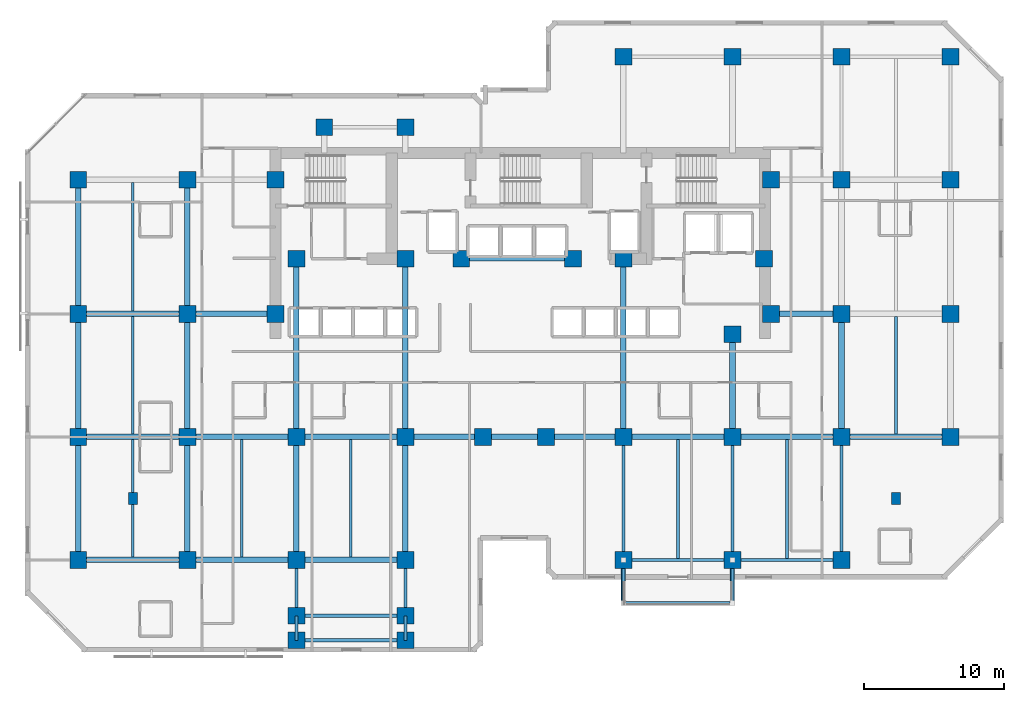
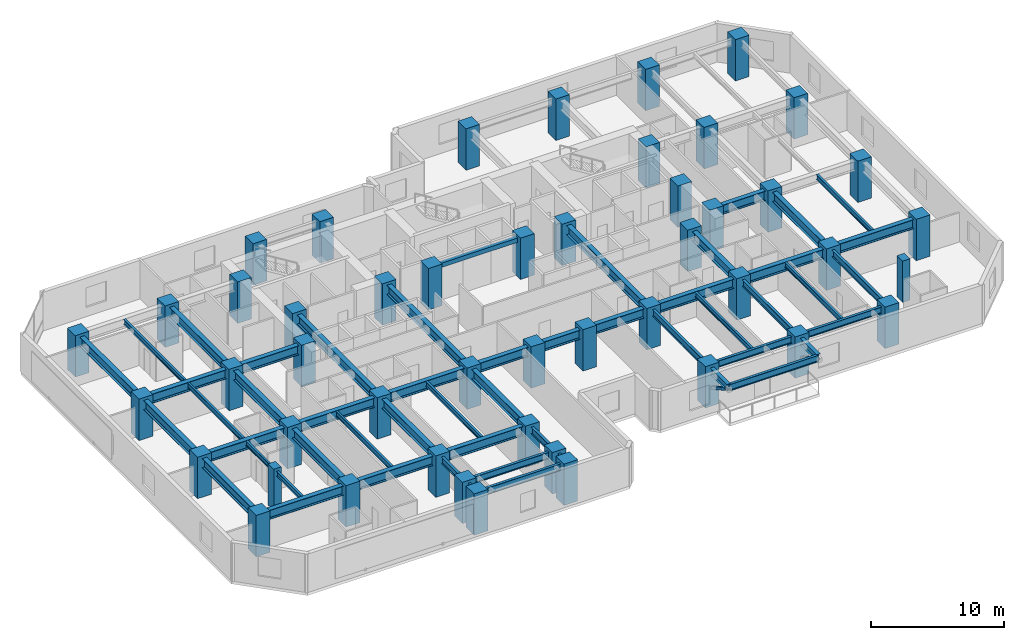
# One storey, part 1 of 13: 51 beams, 48 columns, 2 members.
"""IFC4 building model written with IfcOpenShell, lengths in metres."""

from ifc_helpers import new_model, si_unit, direction, frame, origin, origin_2d, place, context, subcontext, project, spatial, rectangle, hollow_rectangle, i_section, extrude, material, material_profile, profile_set, type_object, element, save


model = new_model("IFC4")

# Units and contexts
model_context = context("Model", 3, precision=1e-05, world=origin(), true_north=direction((0.0, 1.0)))
body_context = subcontext(model_context, "Body", "Model", "MODEL_VIEW")
ifc_project = project(units=[si_unit("LENGTHUNIT", "METRE"), si_unit("AREAUNIT", "SQUARE_METRE"), si_unit("VOLUMEUNIT", "CUBIC_METRE"), si_unit("PLANEANGLEUNIT", "RADIAN"), si_unit("MASSUNIT", "GRAM", prefix="KILO")], contexts=[model_context])

# Site, building, storey
site_placement = place(None, origin())
site = spatial("IfcSite", under=ifc_project, at=site_placement, CompositionType="ELEMENT")
building_placement = place(site_placement, origin())
building = spatial("IfcBuilding", under=site, at=building_placement, Name="Kestravale Grand Hotel", CompositionType="ELEMENT")
storey_placement = place(building_placement, frame((0.0, 0.0, 88.0)))
storey = spatial("IfcBuildingStorey", under=building, at=storey_placement, Name="L21", CompositionType="ELEMENT", Elevation=88.0)

# Columns
ifc_material_1 = material(Name="Precast concrete f'c 45 MPa", Category="concrete")
ifc_material_profile_1 = material_profile(ifc_material_1, rectangle(XDim=0.64990234375, YDim=0.85009765625, at=origin_2d()))
ifc_profile_set_1 = profile_set([ifc_material_profile_1], Name="Precast concrete f'c 45 MPa")
column_type_1 = type_object("IfcColumnType", Name="C-Z1-PIL850", PredefinedType="PILASTER", material=ifc_profile_set_1)
for number, where, z_axis, x_axis, name in (
    (1, (11.699951171875, 15.60009765625, 0.0), (0.0, 0.0, 1.0), (1.0, 0.0, 0.0), "L21 Art Deco fluted pilaster P1"),
    (2, (66.300048828125, 15.60009765625, 0.0), (0.0, 0.0, 1.0), (1.0, 0.0, 0.0), "L21 Art Deco fluted pilaster P2"),
):
    element("IfcColumn", number, at=place(storey_placement, frame(where, z_axis=z_axis, x_axis=x_axis)), inside=storey, type_object=column_type_1, Name=name, PredefinedType="PILASTER", context=body_context, shape_type="SweptSolid", body=[
        extrude(rectangle(XDim=0.64990234375, YDim=0.85009765625, at=origin_2d()), origin(), (0.0, 0.0, 1.0), 3.800048828125),
    ])
ifc_material_2 = material(Name="Concrete f'c 60 MPa", Category="concrete")
ifc_material_profile_2 = material_profile(ifc_material_2, rectangle(XDim=1.199951171875, YDim=1.199951171875, at=origin_2d()))
ifc_profile_set_2 = profile_set([ifc_material_profile_2], Name="Concrete f'c 60 MPa")
column_type_2 = type_object("IfcColumnType", Name="C-Z2-1200", PredefinedType="COLUMN", material=ifc_profile_set_2)
for number, where, z_axis, x_axis, name in (
    (3, (7.800048828125, 11.199951171875, 0.0), (0.0, 0.0, 1.0), (1.0, 0.0, 0.0), "L21 column 2-C"),
    (4, (7.800048828125, 20.0, 0.0), (0.0, 0.0, 1.0), (1.0, 0.0, 0.0), "L21 column 2-D"),
    (5, (7.800048828125, 28.800048828125, 0.0), (0.0, 0.0, 1.0), (1.0, 0.0, 0.0), "L21 column 2-E"),
    (6, (7.800048828125, 38.39990234375, 0.0), (0.0, 0.0, 1.0), (1.0, 0.0, 0.0), "L21 column 2-F"),
    (7, (15.60009765625, 11.199951171875, 0.0), (0.0, 0.0, 1.0), (1.0, 0.0, 0.0), "L21 column 3-C"),
    (8, (15.60009765625, 20.0, 0.0), (0.0, 0.0, 1.0), (1.0, 0.0, 0.0), "L21 column 3-D"),
    (9, (15.60009765625, 28.800048828125, 0.0), (0.0, 0.0, 1.0), (1.0, 0.0, 0.0), "L21 column 3-E"),
    (10, (15.60009765625, 38.39990234375, 0.0), (0.0, 0.0, 1.0), (1.0, 0.0, 0.0), "L21 column 3-F"),
    (11, (23.39990234375, 11.199951171875, 0.0), (0.0, 0.0, 1.0), (1.0, 0.0, 0.0), "L21 column 4-C"),
    (12, (23.39990234375, 20.0, 0.0), (0.0, 0.0, 1.0), (1.0, 0.0, 0.0), "L21 column 4-D"),
    (13, (31.199951171875, 11.199951171875, 0.0), (0.0, 0.0, 1.0), (1.0, 0.0, 0.0), "L21 column 5-C"),
    (14, (31.199951171875, 20.0, 0.0), (0.0, 0.0, 1.0), (1.0, 0.0, 0.0), "L21 column 5-D"),
    (15, (36.75, 20.0, 0.0), (0.0, 0.0, 1.0), (1.0, 0.0, 0.0), "L21 column 6-D"),
    (16, (41.25, 20.0, 0.0), (0.0, 0.0, 1.0), (1.0, 0.0, 0.0), "L21 column 7-D"),
    (17, (46.800048828125, 11.199951171875, 0.0), (0.0, 0.0, 1.0), (1.0, 0.0, 0.0), "L21 column 8-C"),
    (18, (46.800048828125, 20.0, 0.0), (0.0, 0.0, 1.0), (1.0, 0.0, 0.0), "L21 column 8-D"),
    (19, (46.800048828125, 47.199951171875, 0.0), (0.0, 0.0, 1.0), (1.0, 0.0, 0.0), "L21 column 8-G"),
    (20, (54.60009765625, 11.199951171875, 0.0), (0.0, 0.0, 1.0), (1.0, 0.0, 0.0), "L21 column 9-C"),
    (21, (54.60009765625, 20.0, 0.0), (0.0, 0.0, 1.0), (1.0, 0.0, 0.0), "L21 column 9-D"),
    (22, (54.60009765625, 47.199951171875, 0.0), (0.0, 0.0, 1.0), (1.0, 0.0, 0.0), "L21 column 9-G"),
    (23, (62.39990234375, 11.199951171875, 0.0), (0.0, 0.0, 1.0), (1.0, 0.0, 0.0), "L21 column 10-C"),
    (24, (62.39990234375, 20.0, 0.0), (0.0, 0.0, 1.0), (1.0, 0.0, 0.0), "L21 column 10-D"),
    (25, (62.39990234375, 28.800048828125, 0.0), (0.0, 0.0, 1.0), (1.0, 0.0, 0.0), "L21 column 10-E"),
    (26, (62.39990234375, 38.39990234375, 0.0), (0.0, 0.0, 1.0), (1.0, 0.0, 0.0), "L21 column 10-F"),
    (27, (62.39990234375, 47.199951171875, 0.0), (0.0, 0.0, 1.0), (1.0, 0.0, 0.0), "L21 column 10-G"),
    (28, (70.199951171875, 20.0, 0.0), (0.0, 0.0, 1.0), (1.0, 0.0, 0.0), "L21 column 11-D"),
    (29, (70.199951171875, 28.800048828125, 0.0), (0.0, 0.0, 1.0), (1.0, 0.0, 0.0), "L21 column 11-E"),
    (30, (70.199951171875, 38.39990234375, 0.0), (0.0, 0.0, 1.0), (1.0, 0.0, 0.0), "L21 column 11-F"),
    (31, (70.199951171875, 47.199951171875, 0.0), (0.0, 0.0, 1.0), (1.0, 0.0, 0.0), "L21 column 11-G"),
    (32, (21.89990234375, 28.800048828125, 0.0), (0.0, 0.0, 1.0), (1.0, 0.0, 0.0), "L21 column CW-E"),
    (33, (21.89990234375, 38.39990234375, 0.0), (0.0, 0.0, 1.0), (1.0, 0.0, 0.0), "L21 column CW-F"),
    (34, (57.35009765625, 28.800048828125, 0.0), (0.0, 0.0, 1.0), (1.0, 0.0, 0.0), "L21 column CE-E"),
    (35, (57.35009765625, 38.39990234375, 0.0), (0.0, 0.0, 1.0), (1.0, 0.0, 0.0), "L21 column CE-F"),
    (36, (23.39990234375, 32.75, 0.0), (0.0, 0.0, 1.0), (1.0, 0.0, 0.0), "L21 column 4-CS"),
    (37, (31.199951171875, 32.75, 0.0), (0.0, 0.0, 1.0), (1.0, 0.0, 0.0), "L21 column 5-CS"),
    (38, (35.199951171875, 32.75, 0.0), (0.0, 0.0, 1.0), (1.0, 0.0, 0.0), "L21 column 6C-CS"),
    (39, (43.199951171875, 32.75, 0.0), (0.0, 0.0, 1.0), (1.0, 0.0, 0.0), "L21 column 7C-CS"),
    (40, (46.800048828125, 32.75, 0.0), (0.0, 0.0, 1.0), (1.0, 0.0, 0.0), "L21 column 8-CS"),
    (41, (54.60009765625, 27.35009765625, 0.0), (0.0, 0.0, 1.0), (1.0, 0.0, 0.0), "L21 column 9-CS"),
    (42, (56.85009765625, 32.75, 0.0), (0.0, 0.0, 1.0), (1.0, 0.0, 0.0), "L21 column 9C-CS"),
    (43, (23.39990234375, 7.199951171875, 0.0), (0.0, 0.0, 1.0), (1.0, 0.0, 0.0), "L21 column 4-BS"),
    (44, (31.199951171875, 7.199951171875, 0.0), (0.0, 0.0, 1.0), (1.0, 0.0, 0.0), "L21 column 5-BS"),
    (45, (25.39990234375, 42.14990234375, 0.0), (0.0, 0.0, 1.0), (1.0, 0.0, 0.0), "L21 column 4-FN"),
    (46, (31.199951171875, 42.14990234375, 0.0), (0.0, 0.0, 1.0), (1.0, 0.0, 0.0), "L21 column 5-FN"),
    (47, (23.39990234375, 5.449951171875, 0.0), (0.0, 0.0, 1.0), (1.0, 0.0, 0.0), "L21 column 4-B1S"),
    (48, (31.199951171875, 5.449951171875, 0.0), (0.0, 0.0, 1.0), (1.0, 0.0, 0.0), "L21 column 5-B1S"),
):
    element("IfcColumn", number, at=place(storey_placement, frame(where, z_axis=z_axis, x_axis=x_axis)), inside=storey, type_object=column_type_2, Name=name, PredefinedType="COLUMN", context=body_context, shape_type="SweptSolid", body=[
        extrude(rectangle(XDim=1.199951171875, YDim=1.199951171875, at=origin_2d()), origin(), (0.0, 0.0, 1.0), 3.800048828125),
    ])

# Beams
ifc_material_3 = material(Name="Steel ASTM A992 Grade 50", Category="steel")
ifc_material_profile_3 = material_profile(ifc_material_3, i_section(OverallWidth=0.19091796875, OverallDepth=0.45703125, WebThickness=0.009033203125, FlangeThickness=0.014404296875, FilletRadius=0.015380859375, at=origin_2d()))
ifc_profile_set_3 = profile_set([ifc_material_profile_3], Name="Steel ASTM A992 Grade 50")
beam_type_1 = type_object("IfcBeamType", Name="B-FLR-JST18", PredefinedType="JOIST", material=ifc_profile_set_3)
for number, where, z_axis, x_axis, name in (
    (49, (11.699951171875, 11.400390625, 3.3115234375), (0.0, 1.0, 0.0), (-1.0, 0.0, 0.0), "L21 floor joist 2-3/C-D #1"),
    (50, (11.699951171875, 20.200439453125, 3.3115234375), (0.0, 1.0, 0.0), (-1.0, 0.0, 0.0), "L21 floor joist 2-3/D-E #1"),
):
    element("IfcBeam", number, at=place(storey_placement, frame(where, z_axis=z_axis, x_axis=x_axis)), inside=storey, type_object=beam_type_1, Name=name, PredefinedType="JOIST", context=body_context, shape_type="SweptSolid", body=[
        extrude(i_section(OverallWidth=0.19091796875, OverallDepth=0.45703125, WebThickness=0.009033203125, FlangeThickness=0.014404296875, FilletRadius=0.015380859375, at=origin_2d()), origin(), (0.0, 0.0, 1.0), 8.399169921875),
    ])
beam_1_placement = place(storey_placement, frame((11.699951171875, 29.00048828125, 3.3115234375), z_axis=(0.0, 1.0, 0.0), x_axis=(-1.0, 0.0, 0.0)))
element("IfcBeam", 51, at=beam_1_placement, inside=storey, type_object=beam_type_1, Name="L21 floor joist 2-3/E-F #1", PredefinedType="JOIST", context=body_context, shape_type="SweptSolid", body=[
    extrude(i_section(OverallWidth=0.19091796875, OverallDepth=0.45703125, WebThickness=0.009033203125, FlangeThickness=0.014404296875, FilletRadius=0.015380859375, at=origin_2d()), origin(), (0.0, 0.0, 1.0), 9.198974609375),
])
for number, where, z_axis, x_axis, name in (
    (52, (19.5, 11.400390625, 3.3115234375), (0.0, 1.0, 0.0), (-1.0, 0.0, 0.0), "L21 floor joist 3-4/C-D #1"),
    (53, (27.300048828125, 11.400390625, 3.3115234375), (0.0, 1.0, 0.0), (-1.0, 0.0, 0.0), "L21 floor joist 4-5/C-D #1"),
):
    element("IfcBeam", number, at=place(storey_placement, frame(where, z_axis=z_axis, x_axis=x_axis)), inside=storey, type_object=beam_type_1, Name=name, PredefinedType="JOIST", context=body_context, shape_type="SweptSolid", body=[
        extrude(i_section(OverallWidth=0.19091796875, OverallDepth=0.45703125, WebThickness=0.009033203125, FlangeThickness=0.014404296875, FilletRadius=0.015380859375, at=origin_2d()), origin(), (0.0, 0.0, 1.0), 8.399169921875),
    ])
for number, where, z_axis, x_axis, name in (
    (54, (50.699951171875, 11.314453125, 3.3115234375), (0.0, 1.0, 0.0), (-1.0, 0.0, 0.0), "L21 floor joist 8-9/C-D #1"),
    (55, (58.5, 11.314453125, 3.3115234375), (0.0, 1.0, 0.0), (-1.0, 0.0, 0.0), "L21 floor joist 9-10/C-D #1"),
):
    element("IfcBeam", number, at=place(storey_placement, frame(where, z_axis=z_axis, x_axis=x_axis)), inside=storey, type_object=beam_type_1, Name=name, PredefinedType="JOIST", context=body_context, shape_type="SweptSolid", body=[
        extrude(i_section(OverallWidth=0.19091796875, OverallDepth=0.45703125, WebThickness=0.009033203125, FlangeThickness=0.014404296875, FilletRadius=0.015380859375, at=origin_2d()), origin(), (0.0, 0.0, 1.0), 8.485107421875),
    ])
beam_2_placement = place(storey_placement, frame((66.300048828125, 20.200439453125, 3.3115234375), z_axis=(0.0, 1.0, 0.0), x_axis=(-1.0, 0.0, 0.0)))
element("IfcBeam", 56, at=beam_2_placement, inside=storey, type_object=beam_type_1, Name="L21 floor joist 10-11/D-E #1", PredefinedType="JOIST", context=body_context, shape_type="SweptSolid", body=[
    extrude(i_section(OverallWidth=0.19091796875, OverallDepth=0.45703125, WebThickness=0.009033203125, FlangeThickness=0.014404296875, FilletRadius=0.015380859375, at=origin_2d()), origin(), (0.0, 0.0, 1.0), 8.399169921875),
])
ifc_material_4 = material(Name="Concrete f'c 45 MPa", Category="concrete")
ifc_material_profile_4 = material_profile(ifc_material_4, rectangle(XDim=0.300048828125, YDim=0.39990234375, at=origin_2d()))
ifc_profile_set_4 = profile_set([ifc_material_profile_4], Name="Concrete f'c 45 MPa")
beam_type_2 = type_object("IfcBeamType", Name="B-FLR-LNT400", PredefinedType="LINTEL", material=ifc_profile_set_4)
beam_3_placement = place(storey_placement, frame((35.199951171875, 32.75, 3.340087890625), z_axis=(1.0, 0.0, 0.0), x_axis=(0.0, 1.0, 0.0)))
element("IfcBeam", 57, at=beam_3_placement, inside=storey, type_object=beam_type_2, Name="L21 core portal header lintel", PredefinedType="LINTEL", context=body_context, shape_type="SweptSolid", body=[
    extrude(rectangle(XDim=0.300048828125, YDim=0.39990234375, at=origin_2d()), origin(), (0.0, 0.0, 1.0), 8.0),
])
ifc_material_5 = material(Name="Steel ASTM A992 Grade 50", Category="steel")
ifc_material_profile_5 = material_profile(ifc_material_5, i_section(OverallWidth=0.324951171875, OverallDepth=0.612060546875, WebThickness=0.0126953125, FlangeThickness=0.01904296875, FilletRadius=0.018798828125, at=origin_2d()))
ifc_profile_set_5 = profile_set([ifc_material_profile_5], Name="Steel ASTM A992 Grade 50")
beam_type_3 = type_object("IfcBeamType", Name="B-FLR-W24A", PredefinedType="SPANDREL", material=ifc_profile_set_5)
for number, where, z_axis, x_axis, name in (
    (58, (46.800048828125, 11.199951171875, 3.22412109375), (0.0, -1.0, 0.0), (1.0, 0.0, 0.0), "L22 terrace cantilever beam 1"),
    (59, (54.60009765625, 11.199951171875, 3.22412109375), (0.0, -1.0, 0.0), (1.0, 0.0, 0.0), "L22 terrace cantilever beam 2"),
):
    element("IfcBeam", number, at=place(storey_placement, frame(where, z_axis=z_axis, x_axis=x_axis)), inside=storey, type_object=beam_type_3, Name=name, PredefinedType="SPANDREL", context=body_context, shape_type="SweptSolid", body=[
        extrude(i_section(OverallWidth=0.324951171875, OverallDepth=0.612060546875, WebThickness=0.0126953125, FlangeThickness=0.01904296875, FilletRadius=0.018798828125, at=origin_2d()), origin(), (0.0, 0.0, 1.0), 3.099853515625),
    ])
ifc_material_6 = material(Name="Steel ASTM A992 Grade 50", Category="steel")
ifc_material_profile_6 = material_profile(ifc_material_6, i_section(OverallWidth=0.22900390625, OverallDepth=0.612060546875, WebThickness=0.011962890625, FlangeThickness=0.01953125, FilletRadius=0.019287109375, at=origin_2d()))
ifc_profile_set_6 = profile_set([ifc_material_profile_6], Name="Steel ASTM A992 Grade 50")
beam_type_4 = type_object("IfcBeamType", Name="B-FLR-W24B", PredefinedType="SPANDREL", material=ifc_profile_set_6)
beam_4_placement = place(storey_placement, frame((46.800048828125, 11.199951171875, 3.23388671875), z_axis=(1.0, 0.0, 0.0), x_axis=(0.0, 1.0, 0.0)))
element("IfcBeam", 60, at=beam_4_placement, inside=storey, type_object=beam_type_4, Name="L21 spandrel C:8-9", PredefinedType="SPANDREL", context=body_context, shape_type="SweptSolid", body=[
    extrude(i_section(OverallWidth=0.22900390625, OverallDepth=0.612060546875, WebThickness=0.011962890625, FlangeThickness=0.01953125, FilletRadius=0.019287109375, at=origin_2d()), origin(), (0.0, 0.0, 1.0), 7.800048828125),
])
beam_5_placement = place(storey_placement, frame((54.60009765625, 11.199951171875, 3.23388671875), z_axis=(1.0, 0.0, 0.0), x_axis=(0.0, 1.0, 0.0)))
element("IfcBeam", 61, at=beam_5_placement, inside=storey, type_object=beam_type_4, Name="L21 spandrel C:9-10", PredefinedType="SPANDREL", context=body_context, shape_type="SweptSolid", body=[
    extrude(i_section(OverallWidth=0.22900390625, OverallDepth=0.612060546875, WebThickness=0.011962890625, FlangeThickness=0.01953125, FilletRadius=0.019287109375, at=origin_2d()), origin(), (0.0, 0.0, 1.0), 7.7998046875),
])
for number, where, z_axis, x_axis, name in (
    (62, (23.39990234375, 5.449951171875, 3.23388671875), (1.0, 0.0, 0.0), (0.0, 1.0, 0.0), "L21 perimeter tie spandrel B1S:4-5"),
    (63, (23.39990234375, 7.199951171875, 3.23388671875), (1.0, 0.0, 0.0), (0.0, 1.0, 0.0), "L21 perimeter tie spandrel BS:4-5"),
):
    element("IfcBeam", number, at=place(storey_placement, frame(where, z_axis=z_axis, x_axis=x_axis)), inside=storey, type_object=beam_type_4, Name=name, PredefinedType="SPANDREL", context=body_context, shape_type="SweptSolid", body=[
        extrude(i_section(OverallWidth=0.22900390625, OverallDepth=0.612060546875, WebThickness=0.011962890625, FlangeThickness=0.01953125, FilletRadius=0.019287109375, at=origin_2d()), origin(), (0.0, 0.0, 1.0), 7.800048828125),
    ])
beam_6_placement = place(storey_placement, frame((23.39990234375, 5.449951171875, 3.23388671875), z_axis=(0.0, 1.0, 0.0), x_axis=(-1.0, 0.0, 0.0)))
element("IfcBeam", 64, at=beam_6_placement, inside=storey, type_object=beam_type_4, Name="L21 spandrel 4:B1S-BS", PredefinedType="SPANDREL", context=body_context, shape_type="SweptSolid", body=[
    extrude(i_section(OverallWidth=0.22900390625, OverallDepth=0.612060546875, WebThickness=0.011962890625, FlangeThickness=0.01953125, FilletRadius=0.019287109375, at=origin_2d()), origin(), (0.0, 0.0, 1.0), 1.75),
])
beam_7_placement = place(storey_placement, frame((23.39990234375, 7.199951171875, 3.23388671875), z_axis=(0.0, 1.0, 0.0), x_axis=(-1.0, 0.0, 0.0)))
element("IfcBeam", 65, at=beam_7_placement, inside=storey, type_object=beam_type_4, Name="L21 spandrel 4:BS-C", PredefinedType="SPANDREL", context=body_context, shape_type="SweptSolid", body=[
    extrude(i_section(OverallWidth=0.22900390625, OverallDepth=0.612060546875, WebThickness=0.011962890625, FlangeThickness=0.01953125, FilletRadius=0.019287109375, at=origin_2d()), origin(), (0.0, 0.0, 1.0), 4.0),
])
beam_8_placement = place(storey_placement, frame((31.199951171875, 5.449951171875, 3.23388671875), z_axis=(0.0, 1.0, 0.0), x_axis=(-1.0, 0.0, 0.0)))
element("IfcBeam", 66, at=beam_8_placement, inside=storey, type_object=beam_type_4, Name="L21 spandrel 5:B1S-BS", PredefinedType="SPANDREL", context=body_context, shape_type="SweptSolid", body=[
    extrude(i_section(OverallWidth=0.22900390625, OverallDepth=0.612060546875, WebThickness=0.011962890625, FlangeThickness=0.01953125, FilletRadius=0.019287109375, at=origin_2d()), origin(), (0.0, 0.0, 1.0), 1.75),
])
beam_9_placement = place(storey_placement, frame((31.199951171875, 7.199951171875, 3.23388671875), z_axis=(0.0, 1.0, 0.0), x_axis=(-1.0, 0.0, 0.0)))
element("IfcBeam", 67, at=beam_9_placement, inside=storey, type_object=beam_type_4, Name="L21 spandrel 5:BS-C", PredefinedType="SPANDREL", context=body_context, shape_type="SweptSolid", body=[
    extrude(i_section(OverallWidth=0.22900390625, OverallDepth=0.612060546875, WebThickness=0.011962890625, FlangeThickness=0.01953125, FilletRadius=0.019287109375, at=origin_2d()), origin(), (0.0, 0.0, 1.0), 4.0),
])
for number, where, z_axis, x_axis, name in (
    (68, (46.800048828125, 11.199951171875, 3.23388671875), (0.0, 1.0, 0.0), (-1.0, 0.0, 0.0), "L21 spandrel 8:C-D"),
    (69, (54.60009765625, 11.199951171875, 3.23388671875), (0.0, 1.0, 0.0), (-1.0, 0.0, 0.0), "L21 spandrel 9:C-D"),
    (70, (62.39990234375, 11.199951171875, 3.23388671875), (0.0, 1.0, 0.0), (-1.0, 0.0, 0.0), "L21 spandrel 10:C-D"),
):
    element("IfcBeam", number, at=place(storey_placement, frame(where, z_axis=z_axis, x_axis=x_axis)), inside=storey, type_object=beam_type_4, Name=name, PredefinedType="SPANDREL", context=body_context, shape_type="SweptSolid", body=[
        extrude(i_section(OverallWidth=0.22900390625, OverallDepth=0.612060546875, WebThickness=0.011962890625, FlangeThickness=0.01953125, FilletRadius=0.019287109375, at=origin_2d()), origin(), (0.0, 0.0, 1.0), 8.800048828125),
    ])
beam_10_placement = place(storey_placement, frame((46.800048828125, 8.10009765625, 3.22412109375), z_axis=(1.0, 0.0, 0.0), x_axis=(0.0, 1.0, 0.0)))
element("IfcBeam", 71, at=beam_10_placement, inside=storey, type_object=beam_type_4, Name="L22 terrace edge spandrel", PredefinedType="SPANDREL", context=body_context, shape_type="SweptSolid", body=[
    extrude(i_section(OverallWidth=0.22900390625, OverallDepth=0.612060546875, WebThickness=0.011962890625, FlangeThickness=0.01953125, FilletRadius=0.019287109375, at=origin_2d()), origin(), (0.0, 0.0, 1.0), 7.800048828125),
])
ifc_material_7 = material(Name="Steel ASTM A992 Grade 50", Category="steel")
ifc_material_profile_7 = material_profile(ifc_material_7, i_section(OverallWidth=0.40087890625, OverallDepth=0.861083984375, WebThickness=0.019775390625, FlangeThickness=0.032470703125, FilletRadius=0.0234375, at=origin_2d()))
ifc_profile_set_7 = profile_set([ifc_material_profile_7], Name="Steel ASTM A992 Grade 50")
beam_type_5 = type_object("IfcBeamType", Name="B-GRD-W33", PredefinedType="BEAM", material=ifc_profile_set_7)
beam_11_placement = place(storey_placement, frame((7.800048828125, 11.199951171875, 3.109619140625), z_axis=(1.0, 0.0, 0.0), x_axis=(0.0, 1.0, 0.0)))
element("IfcBeam", 72, at=beam_11_placement, inside=storey, type_object=beam_type_5, Name="L21 girder C:2-3", PredefinedType="BEAM", context=body_context, shape_type="SweptSolid", body=[
    extrude(i_section(OverallWidth=0.40087890625, OverallDepth=0.861083984375, WebThickness=0.019775390625, FlangeThickness=0.032470703125, FilletRadius=0.0234375, at=origin_2d()), origin(), (0.0, 0.0, 1.0), 7.800048828125),
])
beam_12_placement = place(storey_placement, frame((15.60009765625, 11.199951171875, 3.109619140625), z_axis=(1.0, 0.0, 0.0), x_axis=(0.0, 1.0, 0.0)))
element("IfcBeam", 73, at=beam_12_placement, inside=storey, type_object=beam_type_5, Name="L21 girder C:3-4", PredefinedType="BEAM", context=body_context, shape_type="SweptSolid", body=[
    extrude(i_section(OverallWidth=0.40087890625, OverallDepth=0.861083984375, WebThickness=0.019775390625, FlangeThickness=0.032470703125, FilletRadius=0.0234375, at=origin_2d()), origin(), (0.0, 0.0, 1.0), 7.7998046875),
])
for number, where, z_axis, x_axis, name in (
    (74, (23.39990234375, 11.199951171875, 3.109619140625), (1.0, 0.0, 0.0), (0.0, 1.0, 0.0), "L21 girder C:4-5"),
    (75, (7.800048828125, 20.0, 3.109619140625), (1.0, 0.0, 0.0), (0.0, 1.0, 0.0), "L21 girder D:2-3"),
):
    element("IfcBeam", number, at=place(storey_placement, frame(where, z_axis=z_axis, x_axis=x_axis)), inside=storey, type_object=beam_type_5, Name=name, PredefinedType="BEAM", context=body_context, shape_type="SweptSolid", body=[
        extrude(i_section(OverallWidth=0.40087890625, OverallDepth=0.861083984375, WebThickness=0.019775390625, FlangeThickness=0.032470703125, FilletRadius=0.0234375, at=origin_2d()), origin(), (0.0, 0.0, 1.0), 7.800048828125),
    ])
beam_13_placement = place(storey_placement, frame((15.60009765625, 20.0, 3.109619140625), z_axis=(1.0, 0.0, 0.0), x_axis=(0.0, 1.0, 0.0)))
element("IfcBeam", 76, at=beam_13_placement, inside=storey, type_object=beam_type_5, Name="L21 girder D:3-4", PredefinedType="BEAM", context=body_context, shape_type="SweptSolid", body=[
    extrude(i_section(OverallWidth=0.40087890625, OverallDepth=0.861083984375, WebThickness=0.019775390625, FlangeThickness=0.032470703125, FilletRadius=0.0234375, at=origin_2d()), origin(), (0.0, 0.0, 1.0), 7.7998046875),
])
beam_14_placement = place(storey_placement, frame((23.39990234375, 20.0, 3.109619140625), z_axis=(1.0, 0.0, 0.0), x_axis=(0.0, 1.0, 0.0)))
element("IfcBeam", 77, at=beam_14_placement, inside=storey, type_object=beam_type_5, Name="L21 girder D:4-5", PredefinedType="BEAM", context=body_context, shape_type="SweptSolid", body=[
    extrude(i_section(OverallWidth=0.40087890625, OverallDepth=0.861083984375, WebThickness=0.019775390625, FlangeThickness=0.032470703125, FilletRadius=0.0234375, at=origin_2d()), origin(), (0.0, 0.0, 1.0), 7.800048828125),
])
beam_15_placement = place(storey_placement, frame((31.199951171875, 20.0, 3.109619140625), z_axis=(1.0, 0.0, 0.0), x_axis=(0.0, 1.0, 0.0)))
element("IfcBeam", 78, at=beam_15_placement, inside=storey, type_object=beam_type_5, Name="L21 girder D:5-6", PredefinedType="BEAM", context=body_context, shape_type="SweptSolid", body=[
    extrude(i_section(OverallWidth=0.40087890625, OverallDepth=0.861083984375, WebThickness=0.019775390625, FlangeThickness=0.032470703125, FilletRadius=0.0234375, at=origin_2d()), origin(), (0.0, 0.0, 1.0), 5.550048828125),
])
beam_16_placement = place(storey_placement, frame((36.75, 20.0, 3.109619140625), z_axis=(1.0, 0.0, 0.0), x_axis=(0.0, 1.0, 0.0)))
element("IfcBeam", 79, at=beam_16_placement, inside=storey, type_object=beam_type_5, Name="L21 girder D:6-7", PredefinedType="BEAM", context=body_context, shape_type="SweptSolid", body=[
    extrude(i_section(OverallWidth=0.40087890625, OverallDepth=0.861083984375, WebThickness=0.019775390625, FlangeThickness=0.032470703125, FilletRadius=0.0234375, at=origin_2d()), origin(), (0.0, 0.0, 1.0), 4.5),
])
beam_17_placement = place(storey_placement, frame((41.25, 20.0, 3.109619140625), z_axis=(1.0, 0.0, 0.0), x_axis=(0.0, 1.0, 0.0)))
element("IfcBeam", 80, at=beam_17_placement, inside=storey, type_object=beam_type_5, Name="L21 girder D:7-8", PredefinedType="BEAM", context=body_context, shape_type="SweptSolid", body=[
    extrude(i_section(OverallWidth=0.40087890625, OverallDepth=0.861083984375, WebThickness=0.019775390625, FlangeThickness=0.032470703125, FilletRadius=0.0234375, at=origin_2d()), origin(), (0.0, 0.0, 1.0), 5.550048828125),
])
beam_18_placement = place(storey_placement, frame((46.800048828125, 20.0, 3.109619140625), z_axis=(1.0, 0.0, 0.0), x_axis=(0.0, 1.0, 0.0)))
element("IfcBeam", 81, at=beam_18_placement, inside=storey, type_object=beam_type_5, Name="L21 girder D:8-9", PredefinedType="BEAM", context=body_context, shape_type="SweptSolid", body=[
    extrude(i_section(OverallWidth=0.40087890625, OverallDepth=0.861083984375, WebThickness=0.019775390625, FlangeThickness=0.032470703125, FilletRadius=0.0234375, at=origin_2d()), origin(), (0.0, 0.0, 1.0), 7.800048828125),
])
beam_19_placement = place(storey_placement, frame((54.60009765625, 20.0, 3.109619140625), z_axis=(1.0, 0.0, 0.0), x_axis=(0.0, 1.0, 0.0)))
element("IfcBeam", 82, at=beam_19_placement, inside=storey, type_object=beam_type_5, Name="L21 girder D:9-10", PredefinedType="BEAM", context=body_context, shape_type="SweptSolid", body=[
    extrude(i_section(OverallWidth=0.40087890625, OverallDepth=0.861083984375, WebThickness=0.019775390625, FlangeThickness=0.032470703125, FilletRadius=0.0234375, at=origin_2d()), origin(), (0.0, 0.0, 1.0), 7.7998046875),
])
for number, where, z_axis, x_axis, name in (
    (83, (62.39990234375, 20.0, 3.109619140625), (1.0, 0.0, 0.0), (0.0, 1.0, 0.0), "L21 girder D:10-11"),
    (84, (7.800048828125, 28.800048828125, 3.109619140625), (1.0, 0.0, 0.0), (0.0, 1.0, 0.0), "L21 girder E:2-3"),
):
    element("IfcBeam", number, at=place(storey_placement, frame(where, z_axis=z_axis, x_axis=x_axis)), inside=storey, type_object=beam_type_5, Name=name, PredefinedType="BEAM", context=body_context, shape_type="SweptSolid", body=[
        extrude(i_section(OverallWidth=0.40087890625, OverallDepth=0.861083984375, WebThickness=0.019775390625, FlangeThickness=0.032470703125, FilletRadius=0.0234375, at=origin_2d()), origin(), (0.0, 0.0, 1.0), 7.800048828125),
    ])
beam_20_placement = place(storey_placement, frame((15.60009765625, 28.800048828125, 3.109619140625), z_axis=(1.0, 0.0, 0.0), x_axis=(0.0, 1.0, 0.0)))
element("IfcBeam", 85, at=beam_20_placement, inside=storey, type_object=beam_type_5, Name="L21 girder E:3-CW", PredefinedType="BEAM", context=body_context, shape_type="SweptSolid", body=[
    extrude(i_section(OverallWidth=0.40087890625, OverallDepth=0.861083984375, WebThickness=0.019775390625, FlangeThickness=0.032470703125, FilletRadius=0.0234375, at=origin_2d()), origin(), (0.0, 0.0, 1.0), 6.2998046875),
])
beam_21_placement = place(storey_placement, frame((57.35009765625, 28.800048828125, 3.109619140625), z_axis=(1.0, 0.0, 0.0), x_axis=(0.0, 1.0, 0.0)))
element("IfcBeam", 86, at=beam_21_placement, inside=storey, type_object=beam_type_5, Name="L21 girder E:CE-10", PredefinedType="BEAM", context=body_context, shape_type="SweptSolid", body=[
    extrude(i_section(OverallWidth=0.40087890625, OverallDepth=0.861083984375, WebThickness=0.019775390625, FlangeThickness=0.032470703125, FilletRadius=0.0234375, at=origin_2d()), origin(), (0.0, 0.0, 1.0), 5.0498046875),
])
for number, where, z_axis, x_axis, name in (
    (87, (7.800048828125, 11.199951171875, 3.109619140625), (0.0, 1.0, 0.0), (-1.0, 0.0, 0.0), "L21 girder 2:C-D"),
    (88, (7.800048828125, 20.0, 3.109619140625), (0.0, 1.0, 0.0), (-1.0, 0.0, 0.0), "L21 girder 2:D-E"),
):
    element("IfcBeam", number, at=place(storey_placement, frame(where, z_axis=z_axis, x_axis=x_axis)), inside=storey, type_object=beam_type_5, Name=name, PredefinedType="BEAM", context=body_context, shape_type="SweptSolid", body=[
        extrude(i_section(OverallWidth=0.40087890625, OverallDepth=0.861083984375, WebThickness=0.019775390625, FlangeThickness=0.032470703125, FilletRadius=0.0234375, at=origin_2d()), origin(), (0.0, 0.0, 1.0), 8.800048828125),
    ])
beam_22_placement = place(storey_placement, frame((7.800048828125, 28.800048828125, 3.109619140625), z_axis=(0.0, 1.0, 0.0), x_axis=(-1.0, 0.0, 0.0)))
element("IfcBeam", 89, at=beam_22_placement, inside=storey, type_object=beam_type_5, Name="L21 girder 2:E-F", PredefinedType="BEAM", context=body_context, shape_type="SweptSolid", body=[
    extrude(i_section(OverallWidth=0.40087890625, OverallDepth=0.861083984375, WebThickness=0.019775390625, FlangeThickness=0.032470703125, FilletRadius=0.0234375, at=origin_2d()), origin(), (0.0, 0.0, 1.0), 9.599853515625),
])
for number, where, z_axis, x_axis, name in (
    (90, (15.60009765625, 11.199951171875, 3.109619140625), (0.0, 1.0, 0.0), (-1.0, 0.0, 0.0), "L21 girder 3:C-D"),
    (91, (15.60009765625, 20.0, 3.109619140625), (0.0, 1.0, 0.0), (-1.0, 0.0, 0.0), "L21 girder 3:D-E"),
):
    element("IfcBeam", number, at=place(storey_placement, frame(where, z_axis=z_axis, x_axis=x_axis)), inside=storey, type_object=beam_type_5, Name=name, PredefinedType="BEAM", context=body_context, shape_type="SweptSolid", body=[
        extrude(i_section(OverallWidth=0.40087890625, OverallDepth=0.861083984375, WebThickness=0.019775390625, FlangeThickness=0.032470703125, FilletRadius=0.0234375, at=origin_2d()), origin(), (0.0, 0.0, 1.0), 8.800048828125),
    ])
beam_23_placement = place(storey_placement, frame((15.60009765625, 28.800048828125, 3.109619140625), z_axis=(0.0, 1.0, 0.0), x_axis=(-1.0, 0.0, 0.0)))
element("IfcBeam", 92, at=beam_23_placement, inside=storey, type_object=beam_type_5, Name="L21 girder 3:E-F", PredefinedType="BEAM", context=body_context, shape_type="SweptSolid", body=[
    extrude(i_section(OverallWidth=0.40087890625, OverallDepth=0.861083984375, WebThickness=0.019775390625, FlangeThickness=0.032470703125, FilletRadius=0.0234375, at=origin_2d()), origin(), (0.0, 0.0, 1.0), 9.599853515625),
])
beam_24_placement = place(storey_placement, frame((23.39990234375, 11.199951171875, 3.109619140625), z_axis=(0.0, 1.0, 0.0), x_axis=(-1.0, 0.0, 0.0)))
element("IfcBeam", 93, at=beam_24_placement, inside=storey, type_object=beam_type_5, Name="L21 girder 4:C-D", PredefinedType="BEAM", context=body_context, shape_type="SweptSolid", body=[
    extrude(i_section(OverallWidth=0.40087890625, OverallDepth=0.861083984375, WebThickness=0.019775390625, FlangeThickness=0.032470703125, FilletRadius=0.0234375, at=origin_2d()), origin(), (0.0, 0.0, 1.0), 8.800048828125),
])
beam_25_placement = place(storey_placement, frame((23.39990234375, 20.0, 3.109619140625), z_axis=(0.0, 1.0, 0.0), x_axis=(-1.0, 0.0, 0.0)))
element("IfcBeam", 94, at=beam_25_placement, inside=storey, type_object=beam_type_5, Name="L21 girder 4:D-CS", PredefinedType="BEAM", context=body_context, shape_type="SweptSolid", body=[
    extrude(i_section(OverallWidth=0.40087890625, OverallDepth=0.861083984375, WebThickness=0.019775390625, FlangeThickness=0.032470703125, FilletRadius=0.0234375, at=origin_2d()), origin(), (0.0, 0.0, 1.0), 12.75),
])
beam_26_placement = place(storey_placement, frame((31.199951171875, 11.199951171875, 3.109619140625), z_axis=(0.0, 1.0, 0.0), x_axis=(-1.0, 0.0, 0.0)))
element("IfcBeam", 95, at=beam_26_placement, inside=storey, type_object=beam_type_5, Name="L21 girder 5:C-D", PredefinedType="BEAM", context=body_context, shape_type="SweptSolid", body=[
    extrude(i_section(OverallWidth=0.40087890625, OverallDepth=0.861083984375, WebThickness=0.019775390625, FlangeThickness=0.032470703125, FilletRadius=0.0234375, at=origin_2d()), origin(), (0.0, 0.0, 1.0), 8.800048828125),
])
for number, where, z_axis, x_axis, name in (
    (96, (31.199951171875, 20.0, 3.109619140625), (0.0, 1.0, 0.0), (-1.0, 0.0, 0.0), "L21 girder 5:D-CS"),
    (97, (46.800048828125, 20.0, 3.109619140625), (0.0, 1.0, 0.0), (-1.0, 0.0, 0.0), "L21 girder 8:D-CS"),
):
    element("IfcBeam", number, at=place(storey_placement, frame(where, z_axis=z_axis, x_axis=x_axis)), inside=storey, type_object=beam_type_5, Name=name, PredefinedType="BEAM", context=body_context, shape_type="SweptSolid", body=[
        extrude(i_section(OverallWidth=0.40087890625, OverallDepth=0.861083984375, WebThickness=0.019775390625, FlangeThickness=0.032470703125, FilletRadius=0.0234375, at=origin_2d()), origin(), (0.0, 0.0, 1.0), 12.75),
    ])
beam_27_placement = place(storey_placement, frame((54.60009765625, 20.0, 3.109619140625), z_axis=(0.0, 1.0, 0.0), x_axis=(-1.0, 0.0, 0.0)))
element("IfcBeam", 98, at=beam_27_placement, inside=storey, type_object=beam_type_5, Name="L21 girder 9:D-CS", PredefinedType="BEAM", context=body_context, shape_type="SweptSolid", body=[
    extrude(i_section(OverallWidth=0.40087890625, OverallDepth=0.861083984375, WebThickness=0.019775390625, FlangeThickness=0.032470703125, FilletRadius=0.0234375, at=origin_2d()), origin(), (0.0, 0.0, 1.0), 7.35009765625),
])
beam_28_placement = place(storey_placement, frame((62.39990234375, 20.0, 3.109619140625), z_axis=(0.0, 1.0, 0.0), x_axis=(-1.0, 0.0, 0.0)))
element("IfcBeam", 99, at=beam_28_placement, inside=storey, type_object=beam_type_5, Name="L21 girder 10:D-E", PredefinedType="BEAM", context=body_context, shape_type="SweptSolid", body=[
    extrude(i_section(OverallWidth=0.40087890625, OverallDepth=0.861083984375, WebThickness=0.019775390625, FlangeThickness=0.032470703125, FilletRadius=0.0234375, at=origin_2d()), origin(), (0.0, 0.0, 1.0), 8.800048828125),
])

# Members
ifc_material_8 = material(Name="Steel ASTM A500 Grade C", Category="steel")
ifc_material_profile_8 = material_profile(ifc_material_8, hollow_rectangle(XDim=0.25, YDim=0.25, WallThickness=0.011962890625, InnerFilletRadius=0.011962890625, OuterFilletRadius=0.02392578125, at=origin_2d()))
ifc_profile_set_8 = profile_set([ifc_material_profile_8], Name="Steel ASTM A500 Grade C")
member_type = type_object("IfcMemberType", Name="M-BLT-STR250", PredefinedType="STRUT", material=ifc_profile_set_8)
for number, where, z_axis, x_axis, name in (
    (100, (46.800048828125, 11.199951171875, 1.3740234375), (0.0, -0.876808651978, 0.480839461583), (1.0, 0.0, 0.0), "L22 terrace knee-brace strut 1"),
    (101, (54.60009765625, 11.199951171875, 1.3740234375), (0.0, -0.876808651978, 0.480839461583), (1.0, 0.0, 0.0), "L22 terrace knee-brace strut 2"),
):
    element("IfcMember", number, at=place(storey_placement, frame(where, z_axis=z_axis, x_axis=x_axis)), inside=storey, type_object=member_type, Name=name, PredefinedType="STRUT", context=body_context, shape_type="SweptSolid", body=[
        extrude(hollow_rectangle(XDim=0.25, YDim=0.25, WallThickness=0.011962890625, InnerFilletRadius=0.011962890625, OuterFilletRadius=0.02392578125, at=origin_2d()), origin(), (0.0, 0.0, 1.0), 3.535400390625),
    ])

save(model, "model.ifc")
